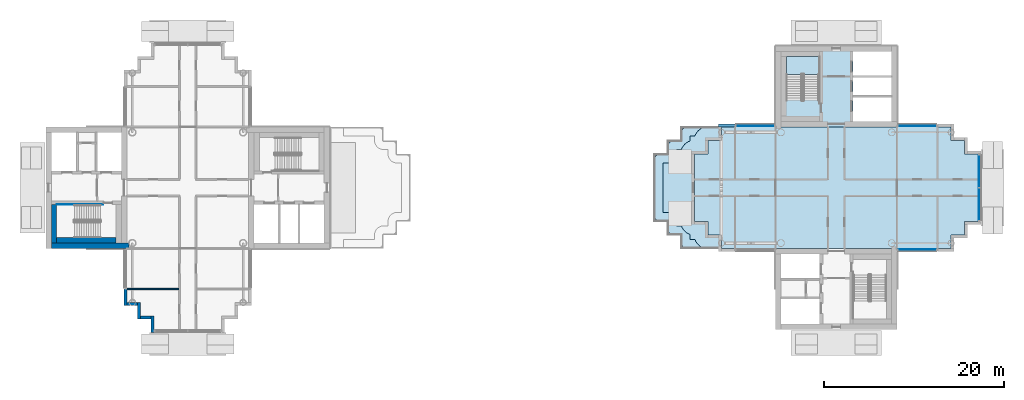
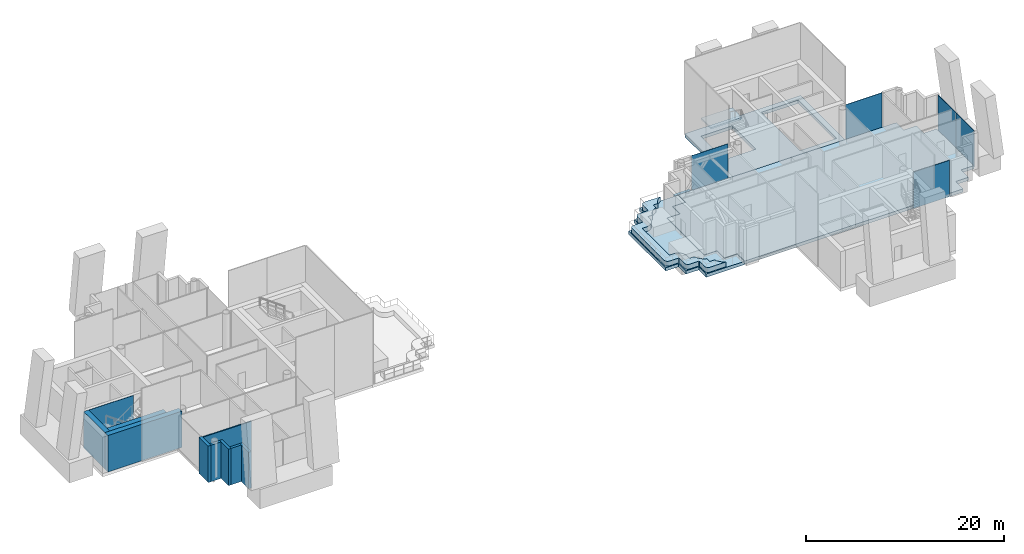
# One storey, part 6 of 16: 10 walls, 6 slabs, 5 plates, 5 elements without a shape of their own.
"""IFC4 building model written with IfcOpenShell, lengths in metres."""

import ifcopenshell
import ifcopenshell.guid

model = None  # the IFC model being written
_history = None  # IfcOwnerHistory: only IFC2X3 demands one
_inside = {}  # id of a spatial element -> (the spatial element, [elements in it])
_under = {}  # id of a project, library or spatial element -> (it, [spatial elements below it])
_declared = {}  # id of a project -> (the project, [libraries it declares])
_typed = {}  # id of a type object -> (the type object, [elements of that type])
_made_of = {}  # id of a material, layer set ... -> (it, [elements and type objects made of it])


def new_model(schema):
    """Start an empty IFC model of exactly this schema.

    Asked for "IFC4X3", IfcOpenShell would pick the latest addendum, in which some entities
    have other attributes; the version numbers below select the first issue.
    IFC2X3 requires an IfcOwnerHistory on every rooted entity: one is made here for all.
    """
    global model, _history
    if schema == "IFC4X3":
        model = ifcopenshell.file(schema_version=(4, 3, 0, 0))
    else:
        model = ifcopenshell.file(schema=schema)
    _inside.clear()
    _under.clear()
    _declared.clear()
    _typed.clear()
    _made_of.clear()
    _history = None
    if model.schema == "IFC2X3":
        org = make("IfcOrganization", Name="unknown")
        user = make(
            "IfcPersonAndOrganization",
            ThePerson=make("IfcPerson", FamilyName="unknown"),
            TheOrganization=org,
        )
        app = make(
            "IfcApplication",
            ApplicationDeveloper=org,
            Version="unknown",
            ApplicationFullName="unknown",
            ApplicationIdentifier="unknown",
        )
        _history = make(
            "IfcOwnerHistory",
            OwningUser=user,
            OwningApplication=app,
            ChangeAction="ADDED",
            CreationDate=0,
        )
    return model


def make(cls, **values):
    """One entity of the class cls with the attributes given. An attribute that is None is left unset."""
    return model.create_entity(
        cls, **{name: value for name, value in values.items() if value is not None}
    )


def rooted(cls, **values):
    """An entity with a GlobalId (a new one), such as an element, a storey or a relation."""
    return make(cls, GlobalId=ifcopenshell.guid.new(), OwnerHistory=_history, **values)


def si_unit(unit_type, name, prefix=None):
    """IfcSIUnit, for example si_unit("LENGTHUNIT", "METRE", prefix="MILLI")."""
    return make("IfcSIUnit", UnitType=unit_type, Prefix=prefix, Name=name)


def assignment(units):
    """IfcUnitAssignment: the units of a project."""
    return None if units is None else make("IfcUnitAssignment", Units=units)


def point(xyz):
    """IfcCartesianPoint."""
    return None if xyz is None else make("IfcCartesianPoint", Coordinates=xyz)


def direction(xyz):
    """IfcDirection."""
    return None if xyz is None else make("IfcDirection", DirectionRatios=xyz)


def frame(location, z_axis=None, x_axis=None):
    """IfcAxis2Placement3D, a coordinate frame: its origin and axes. An axis left out is left unset."""
    return make(
        "IfcAxis2Placement3D",
        Location=point(location),
        Axis=direction(z_axis),
        RefDirection=direction(x_axis),
    )


def frame_2d(location, x_axis=None):
    """IfcAxis2Placement2D, a coordinate frame in the plane: its origin and x axis."""
    return make(
        "IfcAxis2Placement2D", Location=point(location), RefDirection=direction(x_axis)
    )


def origin():
    """The frame at (0, 0, 0) with its axes left unset."""
    return frame((0.0, 0.0, 0.0))


def origin_2d():
    """The frame at (0, 0) in the plane with its x axis left unset."""
    return frame_2d((0.0, 0.0))


def place(relative_to, where):
    """IfcLocalPlacement: puts the frame where relative to a parent placement (None: the world)."""
    return make(
        "IfcLocalPlacement", PlacementRelTo=relative_to, RelativePlacement=where
    )


def context(
    kind, dimensions, precision=None, world=None, true_north=None, identifier=None
):
    """IfcGeometricRepresentationContext, for example the 3D "Model" context."""
    return make(
        "IfcGeometricRepresentationContext",
        ContextIdentifier=identifier,
        ContextType=kind,
        CoordinateSpaceDimension=dimensions,
        Precision=precision,
        WorldCoordinateSystem=world,
        TrueNorth=true_north,
    )


def subcontext(parent, identifier, kind, view, scale=None):
    """IfcGeometricRepresentationSubContext, for example "Body" below "Model"."""
    return make(
        "IfcGeometricRepresentationSubContext",
        ContextIdentifier=identifier,
        ContextType=kind,
        ParentContext=parent,
        TargetScale=scale,
        TargetView=view,
    )


def project(units=None, contexts=None):
    """IfcProject with its units and contexts."""
    return rooted(
        "IfcProject",
        Name="project",
        RepresentationContexts=contexts,
        UnitsInContext=assignment(units),
    )


def spatial(cls, under=None, at=None, **own):
    """A site, building, storey or space (cls), placed at a placement, below another one or the project."""
    s = rooted(cls, ObjectPlacement=at, **own)
    if under is not None:
        _under.setdefault(under.id(), (under, []))[1].append(s)
    return s


def polyline(points):
    """IfcPolyline through the points."""
    return make("IfcPolyline", Points=[point(p) for p in points])


def profile(cls, at=None, kind="AREA", **sizes):
    """A parametric profile (cls). Its sizes go by their IFC names, for example OverallWidth=200.0."""
    return make(cls, ProfileType=kind, Position=at, **sizes)


def rectangle(**sizes):
    """IfcRectangleProfileDef."""
    return profile("IfcRectangleProfileDef", **sizes)


def outline(outer, holes=None, kind="AREA"):
    """IfcArbitraryClosedProfileDef: a profile drawn as a closed curve; with holes, ...WithVoids."""
    if holes is None:
        return make("IfcArbitraryClosedProfileDef", ProfileType=kind, OuterCurve=outer)
    return make(
        "IfcArbitraryProfileDefWithVoids",
        ProfileType=kind,
        OuterCurve=outer,
        InnerCurves=holes,
    )


def extrude(swept, where, along, depth):
    """IfcExtrudedAreaSolid: the profile swept, set in the frame where, extruded along a direction by depth."""
    return make(
        "IfcExtrudedAreaSolid",
        SweptArea=swept,
        Position=where,
        ExtrudedDirection=direction(along),
        Depth=depth,
    )


def shape(context_of_items, identifier, shape_type, items):
    """IfcShapeRepresentation: the items that make up one representation, for example the "Body"."""
    return make(
        "IfcShapeRepresentation",
        ContextOfItems=context_of_items,
        RepresentationIdentifier=identifier,
        RepresentationType=shape_type,
        Items=items,
    )


def material(Name=None, Category=None):
    """IfcMaterial."""
    return make("IfcMaterial", Name=Name, Category=Category)


def layer(
    of_material, thickness, ventilated=None, Name=None, Category=None, Priority=None
):
    """IfcMaterialLayer: one layer of a wall or slab, of a material (None: an air gap)."""
    return make(
        "IfcMaterialLayer",
        Material=of_material,
        LayerThickness=thickness,
        IsVentilated=ventilated,
        Name=Name,
        Category=Category,
        Priority=Priority,
    )


def layer_set(layers, Name=None):
    """IfcMaterialLayerSet."""
    return make("IfcMaterialLayerSet", MaterialLayers=layers, LayerSetName=Name)


def made_of(thing, what):
    """Note that an element or type object is made of a material, layer set ...; save() writes the relation."""
    if what is not None:
        _made_of.setdefault(what.id(), (what, []))[1].append(thing)
    return thing


def type_object(cls, material=None, **own):
    """A type object (cls), such as IfcWallType, which elements share."""
    return made_of(rooted(cls, **own), material)


def element(
    cls,
    number,
    at=None,
    inside=None,
    cuts=None,
    type_object=None,
    material=None,
    context=None,
    identifier="Body",
    shape_type=None,
    held_by="IfcProductDefinitionShape",
    body=None,
    shapes=None,
    **own,
):
    """One element of the class cls, such as IfcWall. Its Tag is "e" and its number.

    at: its placement. inside: the storey or other place that contains it. cuts: it is an
    opening in that element (IfcRelVoidsElement). A single representation is given by context,
    identifier, shape_type and body (its items); several are given by shapes. held_by: the class
    of the entity that holds the representations. save() writes the other relations.
    """
    e = rooted(cls, Tag="e%d" % number, ObjectPlacement=at, **own)
    if body is not None:
        shapes = [shape(context, identifier, shape_type, body)]
    if shapes is not None:
        e.Representation = make(held_by, Representations=shapes)
    if inside is not None:
        _inside.setdefault(inside.id(), (inside, []))[1].append(e)
    if cuts is not None:
        rooted(
            "IfcRelVoidsElement", RelatingBuildingElement=cuts, RelatedOpeningElement=e
        )
    if type_object is not None:
        _typed.setdefault(type_object.id(), (type_object, []))[1].append(e)
    return made_of(e, material)


def aggregate(whole, parts):
    """IfcRelAggregates: a whole, such as a stair, and the parts it consists of."""
    return rooted("IfcRelAggregates", RelatingObject=whole, RelatedObjects=parts)


def save(model, path):
    """Write the relations noted so far, then the file.

    IfcRelAggregates (storeys below a building ...), IfcRelContainedInSpatialStructure (elements
    in a storey), IfcRelDefinesByType, IfcRelAssociatesMaterial and IfcRelDeclares: one each for
    every whole, place, type object, material and project.
    """
    for whole, parts in _under.values():
        aggregate(whole, parts)
    for where, things in _inside.values():
        rooted(
            "IfcRelContainedInSpatialStructure",
            RelatedElements=things,
            RelatingStructure=where,
        )
    for kind, things in _typed.values():
        rooted("IfcRelDefinesByType", RelatedObjects=things, RelatingType=kind)
    for what, things in _made_of.values():
        rooted("IfcRelAssociatesMaterial", RelatedObjects=things, RelatingMaterial=what)
    for by, libraries in _declared.values():
        rooted("IfcRelDeclares", RelatingContext=by, RelatedDefinitions=libraries)
    model.write(path)


model = new_model("IFC4")

# Units and contexts
model_context = context("Model", 3, precision=1e-05, world=origin(), true_north=direction((0.0, 1.0)))
body_context = subcontext(model_context, "Body", "Model", "MODEL_VIEW")
ifc_project = project(units=[si_unit("LENGTHUNIT", "METRE"), si_unit("AREAUNIT", "SQUARE_METRE"), si_unit("VOLUMEUNIT", "CUBIC_METRE"), si_unit("PLANEANGLEUNIT", "RADIAN"), si_unit("MASSUNIT", "GRAM", prefix="KILO")], contexts=[model_context])

# Site, building, storey
site_placement = place(None, origin())
site = spatial("IfcSite", under=ifc_project, at=site_placement, CompositionType="ELEMENT")
building_placement = place(site_placement, origin())
building = spatial("IfcBuilding", under=site, at=building_placement, Name="Ipe Terrace Towers", CompositionType="ELEMENT")
storey_placement = place(building_placement, frame((0.0, 0.0, 233.39990234375)))
storey = spatial("IfcBuildingStorey", under=building, at=storey_placement, Name="L65", CompositionType="ELEMENT", Elevation=233.39990234375)

# Slab
ifc_material_1 = material(Name="Concrete C30/37", Category="concrete")
ifc_layer_1 = layer(ifc_material_1, 0.39990234375)
ifc_layer_set_1 = layer_set([ifc_layer_1], Name="CORE FLOOR SLAB 400 C30-37")
slab_type_1 = type_object("IfcSlabType", Name="CORE FLOOR SLAB 400 C30-37", PredefinedType="FLOOR", material=ifc_layer_set_1)
slab_1_placement = place(storey_placement, frame((0.0, 0.0, -0.39990234375)))
element("IfcSlab", 1, at=slab_1_placement, inside=storey, type_object=slab_type_1, Name="Core floor T2-C1", PredefinedType="FLOOR", context=body_context, shape_type="SweptSolid", body=[
    extrude(outline(polyline([(29.25, 6.75), (29.25, 15.75), (42.75, 15.75), (42.75, 6.75), (29.25, 6.75)]), holes=[polyline([(42.14990234375, 7.35009765625), (42.14990234375, 15.14990234375), (37.85009765625, 15.14990234375), (37.85009765625, 7.35009765625), (42.14990234375, 7.35009765625)]), polyline([(30.449951171875, 9.800048828125), (34.10009765625, 9.800048828125), (34.10009765625, 14.550048828125), (30.449951171875, 14.550048828125), (30.449951171875, 9.800048828125)])]), origin(), (0.0, 0.0, 1.0), 0.39990234375),
])

# Stair, slab
ifc_material_2 = material(Name="Concrete C30/37", Category="concrete")
stair_type = type_object("IfcStairType", Name="Protected exit stair", PredefinedType="HALF_TURN_STAIR", material=ifc_material_2)
stair_placement = place(storey_placement, origin())
stair = element("IfcStair", 2, at=stair_placement, inside=storey, type_object=stair_type, Name="L65 Exit stair T2-C1", PredefinedType="HALF_TURN_STAIR")
ifc_material_3 = material(Name="Concrete C30/37", Category="concrete")
ifc_layer_2 = layer(ifc_material_3, 0.199951171875)
ifc_layer_set_2 = layer_set([ifc_layer_2], Name="Exit stair landing 200")
slab_type_2 = type_object("IfcSlabType", Name="Exit stair landing 200", PredefinedType="LANDING", material=ifc_layer_set_2)
slab_2_placement = place(storey_placement, frame((0.0, 0.0, 2.050048828125)))
slab_2 = element("IfcSlab", 3, at=slab_2_placement, type_object=slab_type_2, Name="T2-ST1 landing 1", PredefinedType="LANDING", context=body_context, shape_type="SweptSolid", body=[
    extrude(outline(polyline([(34.10009765625, 12.56005859375), (34.10009765625, 14.550048828125), (30.449951171875, 14.550048828125), (30.449951171875, 12.56005859375), (34.10009765625, 12.56005859375)])), origin(), (0.0, 0.0, 1.0), 0.199951171875),
])
aggregate(stair, [slab_2])

# Slabs
ifc_material_4 = material(Name="Concrete C40/50", Category="concrete")
ifc_layer_3 = layer(ifc_material_4, 0.39990234375)
ifc_layer_set_3 = layer_set([ifc_layer_3], Name="FLAT PLATE SLAB 400 C40-50")
slab_type_3 = type_object("IfcSlabType", Name="FLAT PLATE SLAB 400 C40-50", PredefinedType="FLOOR", material=ifc_layer_set_3)
slab_3_placement = place(storey_placement, frame((0.0, 0.0, -0.39990234375)))
element("IfcSlab", 4, at=slab_3_placement, inside=storey, type_object=slab_type_3, Name="Slab T2-FS-Z41", PredefinedType="FLOOR", context=body_context, shape_type="SweptSolid", body=[
    extrude(outline(polyline([(48.75, 5.25), (50.25, 5.25), (50.25, 3.75), (51.75, 3.75), (51.75, -3.75), (50.25, -3.75), (50.25, -5.25), (48.75, -5.25), (48.75, -6.75), (42.75, -6.75), (29.25, -6.75), (23.25, -6.75), (23.25, -5.25), (21.75, -5.25), (21.75, -3.75), (20.25, -3.75), (20.25, 3.75), (21.75, 3.75), (21.75, 5.25), (23.25, 5.25), (23.25, 6.75), (29.25, 6.75), (42.75, 6.75), (48.75, 6.75), (48.75, 5.25)])), origin(), (0.0, 0.0, 1.0), 0.39990234375),
])
slab_4_placement = place(storey_placement, frame((0.0, 0.0, -0.39990234375)))
element("IfcSlab", 5, at=slab_4_placement, inside=storey, type_object=slab_type_3, Name="Slab ledge", PredefinedType="FLOOR", context=body_context, shape_type="SweptSolid", body=[
    extrude(outline(polyline([(24.75, 6.75), (22.929931640625, 6.75), (22.929931640625, 7.070068359375), (24.75, 7.070068359375), (24.75, 6.75)])), origin(), (0.0, 0.0, 1.0), 0.39990234375),
])

# Curtain wall, plate
ifc_material_5 = material(Name="Aluminium alloy 6063-T6", Category="aluminium")
ifc_layer_4 = layer(ifc_material_5, 0.320068359375)
ifc_layer_set_4 = layer_set([ifc_layer_4], Name="PLANT LOUVRE CURTAIN WALL")
curtain_wall_type = type_object("IfcCurtainWallType", Name="PLANT LOUVRE CURTAIN WALL", PredefinedType="NOTDEFINED", material=ifc_layer_set_4)
curtain_wall_1_placement = place(storey_placement, origin())
curtain_wall_1 = element("IfcCurtainWall", 6, at=curtain_wall_1_placement, inside=storey, type_object=curtain_wall_type, Name="T2-CW-L65-02a curtain wall", PredefinedType="NOTDEFINED")
ifc_material_6 = material(Name="Aluminium alloy 6063-T6 louvre", Category="aluminium")
ifc_layer_5 = layer(ifc_material_6, 0.050048828125)
ifc_layer_set_5 = layer_set([ifc_layer_5], Name="PLANT LOUVRE LOUVRE PANEL 50")
plate_type = type_object("IfcPlateType", Name="PLANT LOUVRE LOUVRE PANEL 50", PredefinedType="CURTAIN_PANEL", material=ifc_layer_set_5)
plate_1_placement = place(storey_placement, frame((45.0, -6.860107421875, -0.2998046875), z_axis=(0.0, 0.0, 1.0), x_axis=(1.0, 0.0, 0.0)))
plate_1 = element("IfcPlate", 7, at=plate_1_placement, type_object=plate_type, Name="T2-CW-L65-02a panel 1", PredefinedType="CURTAIN_PANEL", context=body_context, shape_type="SweptSolid", body=[
    extrude(rectangle(XDim=4.239990234375, YDim=0.050048828125, at=origin_2d()), origin(), (0.0, 0.0, 1.0), 4.5),
])
aggregate(curtain_wall_1, [plate_1])

# Curtain wall, plates
curtain_wall_2_placement = place(storey_placement, origin())
curtain_wall_2 = element("IfcCurtainWall", 8, at=curtain_wall_2_placement, inside=storey, type_object=curtain_wall_type, Name="T2-CW-L65-08a curtain wall", PredefinedType="NOTDEFINED")
plate_2_placement = place(storey_placement, frame((51.860107421875, -1.827392578125, -0.2998046875), z_axis=(0.0, 0.0, 1.0), x_axis=(0.0, 1.0, 0.0)))
plate_2 = element("IfcPlate", 9, at=plate_2_placement, type_object=plate_type, Name="T2-CW-L65-08a panel 1", PredefinedType="CURTAIN_PANEL", context=body_context, shape_type="SweptSolid", body=[
    extrude(rectangle(XDim=3.5849609375, YDim=0.050048828125, at=origin_2d()), origin(), (0.0, 0.0, 1.0), 4.5),
])
plate_3_placement = place(storey_placement, frame((51.860107421875, 1.827392578125, -0.2998046875), z_axis=(0.0, 0.0, 1.0), x_axis=(0.0, 1.0, 0.0)))
plate_3 = element("IfcPlate", 10, at=plate_3_placement, type_object=plate_type, Name="T2-CW-L65-08a panel 2", PredefinedType="CURTAIN_PANEL", context=body_context, shape_type="SweptSolid", body=[
    extrude(rectangle(XDim=3.5849609375, YDim=0.050048828125, at=origin_2d()), origin(), (0.0, 0.0, 1.0), 4.5),
])
aggregate(curtain_wall_2, [plate_2, plate_3])

# Curtain wall, plate
curtain_wall_3_placement = place(storey_placement, origin())
curtain_wall_3 = element("IfcCurtainWall", 11, at=curtain_wall_3_placement, inside=storey, type_object=curtain_wall_type, Name="T2-CW-L65-14a curtain wall", PredefinedType="NOTDEFINED")
plate_4_placement = place(storey_placement, frame((45.0, 6.860107421875, -0.2998046875), z_axis=(0.0, 0.0, 1.0), x_axis=(-1.0, 0.0, 0.0)))
plate_4 = element("IfcPlate", 12, at=plate_4_placement, type_object=plate_type, Name="T2-CW-L65-14a panel 1", PredefinedType="CURTAIN_PANEL", context=body_context, shape_type="SweptSolid", body=[
    extrude(rectangle(XDim=4.239990234375, YDim=0.050048828125, at=origin_2d()), origin(), (0.0, 0.0, 1.0), 4.5),
])
aggregate(curtain_wall_3, [plate_4])

curtain_wall_4_placement = place(storey_placement, origin())
curtain_wall_4 = element("IfcCurtainWall", 13, at=curtain_wall_4_placement, inside=storey, type_object=curtain_wall_type, Name="T2-CW-L65-20a curtain wall", PredefinedType="NOTDEFINED")
plate_5_placement = place(storey_placement, frame((27.0, 6.860107421875, -0.2998046875), z_axis=(0.0, 0.0, 1.0), x_axis=(-1.0, 0.0, 0.0)))
plate_5 = element("IfcPlate", 14, at=plate_5_placement, type_object=plate_type, Name="T2-CW-L65-20a panel 1", PredefinedType="CURTAIN_PANEL", context=body_context, shape_type="SweptSolid", body=[
    extrude(rectangle(XDim=4.239990234375, YDim=0.050048828125, at=origin_2d()), origin(), (0.0, 0.0, 1.0), 4.5),
])
aggregate(curtain_wall_4, [plate_5])

# Slabs
ifc_material_7 = material(Name="Concrete C40/50", Category="concrete")
ifc_layer_6 = layer(ifc_material_7, 0.39990234375)
ifc_layer_set_6 = layer_set([ifc_layer_6], Name="TERRACE DECK SLAB 400 C40-50")
slab_type_4 = type_object("IfcSlabType", Name="TERRACE DECK SLAB 400 C40-50", PredefinedType="FLOOR", material=ifc_layer_set_6)
slab_5_placement = place(storey_placement, frame((0.0, 0.0, -0.419921875)))
element("IfcSlab", 15, at=slab_5_placement, inside=storey, type_object=slab_type_4, Name="Slab T2-TD-L65-1", PredefinedType="FLOOR", context=body_context, shape_type="SweptSolid", body=[
    extrude(outline(polyline([(15.7548828125, -3.7451171875), (15.7548828125, 3.7451171875), (17.2548828125, 3.7451171875), (17.2548828125, 5.2451171875), (18.7548828125, 5.2451171875), (18.7548828125, 6.7451171875), (23.2451171875, 6.7451171875), (23.2451171875, 5.2548828125), (21.7451171875, 5.2548828125), (21.7451171875, 3.7548828125), (20.2451171875, 3.7548828125), (20.2451171875, -3.7548828125), (21.7451171875, -3.7548828125), (21.7451171875, -5.2548828125), (23.2451171875, -5.2548828125), (23.2451171875, -6.7451171875), (18.7548828125, -6.7451171875), (18.7548828125, -5.2451171875), (17.2548828125, -5.2451171875), (17.2548828125, -3.7451171875), (15.7548828125, -3.7451171875)])), origin(), (0.0, 0.0, 1.0), 0.39990234375),
])
ifc_material_8 = material(Name="Concrete C30/37", Category="concrete")
ifc_layer_7 = layer(ifc_material_8, 0.60009765625)
ifc_layer_set_7 = layer_set([ifc_layer_7], Name="TERRACE PLANTING BED 900 x 600")
slab_type_5 = type_object("IfcSlabType", Name="TERRACE PLANTING BED 900 x 600", PredefinedType="USERDEFINED", material=ifc_layer_set_7)
slab_6_placement = place(storey_placement, frame((0.0, 0.0, -0.02001953125)))
element("IfcSlab", 16, at=slab_6_placement, inside=storey, type_object=slab_type_5, Name="planter", ObjectType="PLANTER", PredefinedType="USERDEFINED", context=body_context, shape_type="SweptSolid", body=[
    extrude(outline(polyline([(16.77001953125, -2.739990234375), (16.760009765625, -2.739990234375), (16.760009765625, -2.72998046875), (16.760009765625, 2.72998046875), (16.760009765625, 2.739990234375), (16.77001953125, 2.739990234375), (17.2509765625, 2.739990234375), (17.27099609375, 2.739990234375), (17.3291015625, 2.742919921875), (17.367919921875, 2.7470703125), (17.427978515625, 2.756103515625), (17.466064453125, 2.763916015625), (17.52392578125, 2.778076171875), (17.56201171875, 2.7900390625), (17.617919921875, 2.81005859375), (17.654052734375, 2.824951171875), (17.708984375, 2.85009765625), (17.742919921875, 2.868896484375), (17.794921875, 2.89990234375), (17.826904296875, 2.9208984375), (17.875, 2.95703125), (17.906005859375, 2.98193359375), (17.949951171875, 3.02197265625), (17.97802734375, 3.050048828125), (18.01806640625, 3.093994140625), (18.04296875, 3.125), (18.0791015625, 3.173095703125), (18.10009765625, 3.205078125), (18.131103515625, 3.257080078125), (18.14990234375, 3.291015625), (18.175048828125, 3.345947265625), (18.18994140625, 3.382080078125), (18.2099609375, 3.43798828125), (18.221923828125, 3.47607421875), (18.236083984375, 3.533935546875), (18.243896484375, 3.572021484375), (18.2529296875, 3.632080078125), (18.257080078125, 3.6708984375), (18.260009765625, 3.72900390625), (18.260009765625, 3.7490234375), (18.260009765625, 4.22998046875), (18.260009765625, 4.239990234375), (18.27001953125, 4.239990234375), (18.7509765625, 4.239990234375), (18.77099609375, 4.239990234375), (18.81396484375, 4.242919921875), (18.845947265625, 4.33203125), (18.908935546875, 4.467041015625), (18.986083984375, 4.593994140625), (19.074951171875, 4.714111328125), (19.175048828125, 4.824951171875), (19.285888671875, 4.925048828125), (19.406005859375, 5.013916015625), (19.532958984375, 5.091064453125), (19.66796875, 5.154052734375), (19.757080078125, 5.18603515625), (19.760009765625, 5.22900390625), (19.760009765625, 5.2490234375), (19.760009765625, 5.72998046875), (19.760009765625, 5.739990234375), (19.77001953125, 5.739990234375), (20.31298828125, 5.739990234375), (20.345947265625, 5.83203125), (20.408935546875, 5.967041015625), (20.486083984375, 6.093994140625), (20.574951171875, 6.214111328125), (20.675048828125, 6.324951171875), (20.785888671875, 6.425048828125), (20.906005859375, 6.513916015625), (21.032958984375, 6.591064453125), (21.137939453125, 6.639892578125), (19.260009765625, 6.639892578125), (19.220947265625, 6.637939453125), (19.181884765625, 6.632080078125), (19.14404296875, 6.623046875), (19.10693359375, 6.610107421875), (19.071044921875, 6.593017578125), (19.0380859375, 6.572998046875), (19.006103515625, 6.549072265625), (18.97705078125, 6.52294921875), (18.950927734375, 6.493896484375), (18.927001953125, 6.4619140625), (18.906982421875, 6.428955078125), (18.889892578125, 6.39306640625), (18.876953125, 6.35595703125), (18.867919921875, 6.318115234375), (18.862060546875, 6.279052734375), (18.860107421875, 6.239990234375), (18.860107421875, 5.26611328125), (18.860107421875, 5.256103515625), (18.85888671875, 5.2490234375), (18.85791015625, 5.23388671875), (18.85595703125, 5.222900390625), (18.85302734375, 5.212890625), (18.84912109375, 5.202880859375), (18.843994140625, 5.194091796875), (18.837890625, 5.18505859375), (18.8310546875, 5.177001953125), (18.822998046875, 5.1689453125), (18.81494140625, 5.162109375), (18.805908203125, 5.156005859375), (18.797119140625, 5.15087890625), (18.787109375, 5.14697265625), (18.777099609375, 5.14404296875), (18.76611328125, 5.14208984375), (18.7509765625, 5.14111328125), (18.743896484375, 5.139892578125), (18.73388671875, 5.139892578125), (17.760009765625, 5.139892578125), (17.720947265625, 5.137939453125), (17.681884765625, 5.132080078125), (17.64404296875, 5.123046875), (17.60693359375, 5.110107421875), (17.571044921875, 5.093017578125), (17.5380859375, 5.072998046875), (17.506103515625, 5.049072265625), (17.47705078125, 5.02294921875), (17.450927734375, 4.993896484375), (17.427001953125, 4.9619140625), (17.406982421875, 4.928955078125), (17.389892578125, 4.89306640625), (17.376953125, 4.85595703125), (17.367919921875, 4.818115234375), (17.362060546875, 4.779052734375), (17.360107421875, 4.739990234375), (17.360107421875, 3.76611328125), (17.360107421875, 3.756103515625), (17.35888671875, 3.7490234375), (17.35791015625, 3.73388671875), (17.35595703125, 3.722900390625), (17.35302734375, 3.712890625), (17.34912109375, 3.702880859375), (17.343994140625, 3.694091796875), (17.337890625, 3.68505859375), (17.3310546875, 3.677001953125), (17.322998046875, 3.6689453125), (17.31494140625, 3.662109375), (17.305908203125, 3.656005859375), (17.297119140625, 3.65087890625), (17.287109375, 3.64697265625), (17.277099609375, 3.64404296875), (17.26611328125, 3.64208984375), (17.2509765625, 3.64111328125), (17.243896484375, 3.639892578125), (17.23388671875, 3.639892578125), (16.260009765625, 3.639892578125), (16.220947265625, 3.637939453125), (16.181884765625, 3.632080078125), (16.14404296875, 3.623046875), (16.10693359375, 3.610107421875), (16.071044921875, 3.593017578125), (16.0380859375, 3.572998046875), (16.006103515625, 3.549072265625), (15.97705078125, 3.52294921875), (15.950927734375, 3.493896484375), (15.927001953125, 3.4619140625), (15.906982421875, 3.428955078125), (15.889892578125, 3.39306640625), (15.876953125, 3.35595703125), (15.867919921875, 3.318115234375), (15.862060546875, 3.279052734375), (15.860107421875, 3.239990234375), (15.860107421875, -3.239990234375), (15.862060546875, -3.279052734375), (15.867919921875, -3.318115234375), (15.876953125, -3.35595703125), (15.889892578125, -3.39306640625), (15.906982421875, -3.428955078125), (15.927001953125, -3.4619140625), (15.950927734375, -3.493896484375), (15.97705078125, -3.52294921875), (16.006103515625, -3.549072265625), (16.0380859375, -3.572998046875), (16.071044921875, -3.593017578125), (16.10693359375, -3.610107421875), (16.14404296875, -3.623046875), (16.181884765625, -3.632080078125), (16.220947265625, -3.637939453125), (16.260009765625, -3.639892578125), (17.23388671875, -3.639892578125), (17.243896484375, -3.639892578125), (17.2509765625, -3.64111328125), (17.26611328125, -3.64208984375), (17.277099609375, -3.64404296875), (17.287109375, -3.64697265625), (17.297119140625, -3.65087890625), (17.305908203125, -3.656005859375), (17.31494140625, -3.662109375), (17.322998046875, -3.6689453125), (17.3310546875, -3.677001953125), (17.337890625, -3.68505859375), (17.343994140625, -3.694091796875), (17.34912109375, -3.702880859375), (17.35302734375, -3.712890625), (17.35595703125, -3.722900390625), (17.35791015625, -3.73388671875), (17.35888671875, -3.7490234375), (17.360107421875, -3.756103515625), (17.360107421875, -3.76611328125), (17.360107421875, -4.739990234375), (17.362060546875, -4.779052734375), (17.367919921875, -4.818115234375), (17.376953125, -4.85595703125), (17.389892578125, -4.89306640625), (17.406982421875, -4.928955078125), (17.427001953125, -4.9619140625), (17.450927734375, -4.993896484375), (17.47705078125, -5.02294921875), (17.506103515625, -5.049072265625), (17.5380859375, -5.072998046875), (17.571044921875, -5.093017578125), (17.60693359375, -5.110107421875), (17.64404296875, -5.123046875), (17.681884765625, -5.132080078125), (17.720947265625, -5.137939453125), (17.760009765625, -5.139892578125), (18.73388671875, -5.139892578125), (18.743896484375, -5.139892578125), (18.7509765625, -5.14111328125), (18.76611328125, -5.14208984375), (18.777099609375, -5.14404296875), (18.787109375, -5.14697265625), (18.797119140625, -5.15087890625), (18.805908203125, -5.156005859375), (18.81494140625, -5.162109375), (18.822998046875, -5.1689453125), (18.8310546875, -5.177001953125), (18.837890625, -5.18505859375), (18.843994140625, -5.194091796875), (18.84912109375, -5.202880859375), (18.85302734375, -5.212890625), (18.85595703125, -5.222900390625), (18.85791015625, -5.23388671875), (18.85888671875, -5.2490234375), (18.860107421875, -5.256103515625), (18.860107421875, -5.26611328125), (18.860107421875, -6.239990234375), (18.862060546875, -6.279052734375), (18.867919921875, -6.318115234375), (18.876953125, -6.35595703125), (18.889892578125, -6.39306640625), (18.906982421875, -6.428955078125), (18.927001953125, -6.4619140625), (18.950927734375, -6.493896484375), (18.97705078125, -6.52294921875), (19.006103515625, -6.549072265625), (19.0380859375, -6.572998046875), (19.071044921875, -6.593017578125), (19.10693359375, -6.610107421875), (19.14404296875, -6.623046875), (19.181884765625, -6.632080078125), (19.220947265625, -6.637939453125), (19.260009765625, -6.639892578125), (21.137939453125, -6.639892578125), (21.032958984375, -6.591064453125), (20.906005859375, -6.513916015625), (20.785888671875, -6.425048828125), (20.675048828125, -6.324951171875), (20.574951171875, -6.214111328125), (20.486083984375, -6.093994140625), (20.408935546875, -5.967041015625), (20.345947265625, -5.83203125), (20.31298828125, -5.739990234375), (19.77001953125, -5.739990234375), (19.760009765625, -5.739990234375), (19.760009765625, -5.72998046875), (19.760009765625, -5.2490234375), (19.760009765625, -5.22900390625), (19.757080078125, -5.18603515625), (19.66796875, -5.154052734375), (19.532958984375, -5.091064453125), (19.406005859375, -5.013916015625), (19.285888671875, -4.925048828125), (19.175048828125, -4.824951171875), (19.074951171875, -4.714111328125), (18.986083984375, -4.593994140625), (18.908935546875, -4.467041015625), (18.845947265625, -4.33203125), (18.81396484375, -4.242919921875), (18.77099609375, -4.239990234375), (18.7509765625, -4.239990234375), (18.27001953125, -4.239990234375), (18.260009765625, -4.239990234375), (18.260009765625, -4.22998046875), (18.260009765625, -3.7490234375), (18.260009765625, -3.72900390625), (18.257080078125, -3.6708984375), (18.2529296875, -3.632080078125), (18.243896484375, -3.572021484375), (18.236083984375, -3.533935546875), (18.221923828125, -3.47607421875), (18.2099609375, -3.43798828125), (18.18994140625, -3.382080078125), (18.175048828125, -3.345947265625), (18.14990234375, -3.291015625), (18.131103515625, -3.257080078125), (18.10009765625, -3.205078125), (18.0791015625, -3.173095703125), (18.04296875, -3.125), (18.01806640625, -3.093994140625), (17.97802734375, -3.050048828125), (17.949951171875, -3.02197265625), (17.906005859375, -2.98193359375), (17.875, -2.95703125), (17.826904296875, -2.9208984375), (17.794921875, -2.89990234375), (17.742919921875, -2.868896484375), (17.708984375, -2.85009765625), (17.654052734375, -2.824951171875), (17.617919921875, -2.81005859375), (17.56201171875, -2.7900390625), (17.52392578125, -2.778076171875), (17.466064453125, -2.763916015625), (17.427978515625, -2.756103515625), (17.367919921875, -2.7470703125), (17.3291015625, -2.742919921875), (17.27099609375, -2.739990234375), (17.2509765625, -2.739990234375), (16.77001953125, -2.739990234375)])), origin(), (0.0, 0.0, 1.0), 0.60009765625),
])

# Walls
ifc_material_9 = material(Name="Concrete C40/50 with buff precast cladding", Category="concrete")
ifc_layer_8 = layer(ifc_material_9, 0.320068359375)
ifc_layer_set_8 = layer_set([ifc_layer_8], Name="BUFF CLADDING WALL 320")
wall_type_1 = type_object("IfcWallType", Name="BUFF CLADDING WALL 320", PredefinedType="STANDARD", material=ifc_layer_set_8)
wall_1_placement = place(storey_placement, frame((-42.909912109375, -11.25, -0.2998046875), z_axis=(0.0, 0.0, 1.0), x_axis=(0.0, -1.0, 0.0)))
element("IfcWall", 17, at=wall_1_placement, inside=storey, type_object=wall_type_1, Name="T1-W-L65-03a wall", PredefinedType="STANDARD", context=body_context, shape_type="SweptSolid", body=[
    extrude(rectangle(XDim=1.820068359375, YDim=0.320068359375, at=frame_2d((0.91015625, 0.0))), origin(), (0.0, 0.0, 1.0), 4.5),
])
wall_2_placement = place(storey_placement, frame((-42.75, -12.909912109375, -0.2998046875), z_axis=(0.0, 0.0, 1.0), x_axis=(1.0, 0.0, 0.0)))
element("IfcWall", 18, at=wall_2_placement, inside=storey, type_object=wall_type_1, Name="T1-W-L65-04a wall", PredefinedType="STANDARD", context=body_context, shape_type="SweptSolid", body=[
    extrude(rectangle(XDim=1.179931640625, YDim=0.320068359375, at=frame_2d((0.58984375, 0.0))), origin(), (0.0, 0.0, 1.0), 4.5),
])
wall_3_placement = place(storey_placement, frame((-41.409912109375, -12.75, -0.2998046875), z_axis=(0.0, 0.0, 1.0), x_axis=(0.0, -1.0, 0.0)))
element("IfcWall", 19, at=wall_3_placement, inside=storey, type_object=wall_type_1, Name="T1-W-L65-05a wall", PredefinedType="STANDARD", context=body_context, shape_type="SweptSolid", body=[
    extrude(rectangle(XDim=1.820068359375, YDim=0.320068359375, at=frame_2d((0.91015625, 0.0))), origin(), (0.0, 0.0, 1.0), 4.5),
])
wall_4_placement = place(storey_placement, frame((-41.25, -14.409912109375, -0.2998046875), z_axis=(0.0, 0.0, 1.0), x_axis=(1.0, 0.0, 0.0)))
element("IfcWall", 20, at=wall_4_placement, inside=storey, type_object=wall_type_1, Name="T1-W-L65-06a wall", PredefinedType="STANDARD", context=body_context, shape_type="SweptSolid", body=[
    extrude(rectangle(XDim=1.179931640625, YDim=0.320068359375, at=frame_2d((0.58984375, 0.0))), origin(), (0.0, 0.0, 1.0), 4.5),
])
wall_5_placement = place(storey_placement, frame((-39.909912109375, -14.25, -0.2998046875), z_axis=(0.0, 0.0, 1.0), x_axis=(0.0, -1.0, 0.0)))
element("IfcWall", 21, at=wall_5_placement, inside=storey, type_object=wall_type_1, Name="T1-W-L65-07a wall", PredefinedType="STANDARD", context=body_context, shape_type="SweptSolid", body=[
    extrude(rectangle(XDim=1.820068359375, YDim=0.320068359375, at=frame_2d((0.91015625, 0.0))), origin(), (0.0, 0.0, 1.0), 4.5),
])
ifc_material_10 = material(Name="Gypsum board partition", Category="plasterboard")
ifc_layer_9 = layer(ifc_material_10, 0.14990234375)
ifc_layer_set_9 = layer_set([ifc_layer_9], Name="Gypsum board partition 150 mm")
wall_type_2 = type_object("IfcWallType", Name="Gypsum board partition 150 mm", PredefinedType="PARTITIONING", material=ifc_layer_set_9)
wall_6_placement = place(storey_placement, frame((-36.97509765625, -11.25, 0.0), z_axis=(0.0, 0.0, 1.0), x_axis=(-1.0, 0.0, 0.0)))
element("IfcWall", 22, at=wall_6_placement, inside=storey, type_object=wall_type_2, Name="Gypsum board partition T1 L65 sp-Sm-dm1", PredefinedType="PARTITIONING", context=body_context, shape_type="SweptSolid", body=[
    extrude(rectangle(XDim=5.875, YDim=0.14990234375, at=frame_2d((2.9375, 0.0))), origin(), (0.0, 0.0, 1.0), 4.10009765625),
])
ifc_material_11 = material(Name="Concrete C40/50", Category="concrete")
ifc_layer_10 = layer(ifc_material_11, 0.050048828125)
ifc_layer_set_10 = layer_set([ifc_layer_10], Name="RW50 CORE INFILL WALL 50 C40-50")
wall_type_3 = type_object("IfcWallType", Name="RW50 CORE INFILL WALL 50 C40-50", PredefinedType="SHEAR", material=ifc_layer_set_10)
wall_7_placement = place(storey_placement, frame((-45.35009765625, -1.875, 0.0), z_axis=(0.0, 0.0, 1.0), x_axis=(-1.0, 0.0, 0.0)))
element("IfcWall", 23, at=wall_7_placement, inside=storey, type_object=wall_type_3, Name="Core infill wall T1-C2-spine-b", PredefinedType="SHEAR", context=body_context, shape_type="SweptSolid", body=[
    extrude(rectangle(XDim=5.199951171875, YDim=0.050048828125, at=frame_2d((2.60009765625, 0.0))), origin(), (0.0, 0.0, 1.0), 4.5),
])
ifc_material_12 = material(Name="Concrete C40/50", Category="concrete")
ifc_layer_11 = layer(ifc_material_12, 0.60009765625)
ifc_layer_set_11 = layer_set([ifc_layer_11], Name="RW600 CORE INFILL WALL 600 C40-50")
wall_type_4 = type_object("IfcWallType", Name="RW600 CORE INFILL WALL 600 C40-50", PredefinedType="SHEAR", material=ifc_layer_set_11)
wall_8_placement = place(storey_placement, frame((-50.85009765625, -1.85009765625, 0.0), z_axis=(0.0, 0.0, 1.0), x_axis=(0.0, -1.0, 0.0)))
element("IfcWall", 24, at=wall_8_placement, inside=storey, type_object=wall_type_4, Name="Core infill wall T1-C2-far", PredefinedType="SHEAR", context=body_context, shape_type="SweptSolid", body=[
    extrude(rectangle(XDim=4.2998046875, YDim=0.60009765625, at=frame_2d((2.14990234375, 0.0))), origin(), (0.0, 0.0, 1.0), 4.5),
])
wall_9_placement = place(storey_placement, frame((-43.949951171875, -5.85009765625, 0.0), z_axis=(0.0, 0.0, 1.0), x_axis=(-1.0, 0.0, 0.0)))
element("IfcWall", 25, at=wall_9_placement, inside=storey, type_object=wall_type_4, Name="Core infill wall T1-C2-back", PredefinedType="SHEAR", context=body_context, shape_type="SweptSolid", body=[
    extrude(rectangle(XDim=6.60009765625, YDim=0.60009765625, at=frame_2d((3.300048828125, 0.0))), origin(), (0.0, 0.0, 1.0), 4.5),
])
ifc_material_13 = material(Name="Concrete C40/50", Category="concrete")
ifc_layer_12 = layer(ifc_material_13, 0.60009765625)
ifc_layer_set_12 = layer_set([ifc_layer_12], Name="RW600 CORE WALL 600 C40-50")
wall_type_5 = type_object("IfcWallType", Name="RW600 CORE WALL 600 C40-50", PredefinedType="SHEAR", material=ifc_layer_set_12)
wall_10_placement = place(storey_placement, frame((-51.14990234375, -6.449951171875, 0.0), z_axis=(0.0, 0.0, 1.0), x_axis=(1.0, 0.0, 0.0)))
element("IfcWall", 26, at=wall_10_placement, inside=storey, type_object=wall_type_5, Name="Core wall T1-C2-Z4-W01", PredefinedType="SHEAR", context=body_context, shape_type="SweptSolid", body=[
    extrude(rectangle(XDim=8.64794921875, YDim=0.60009765625, at=frame_2d((4.323974609375, 0.0))), origin(), (0.0, 0.0, 1.0), 4.5),
])

save(model, "model.ifc")
